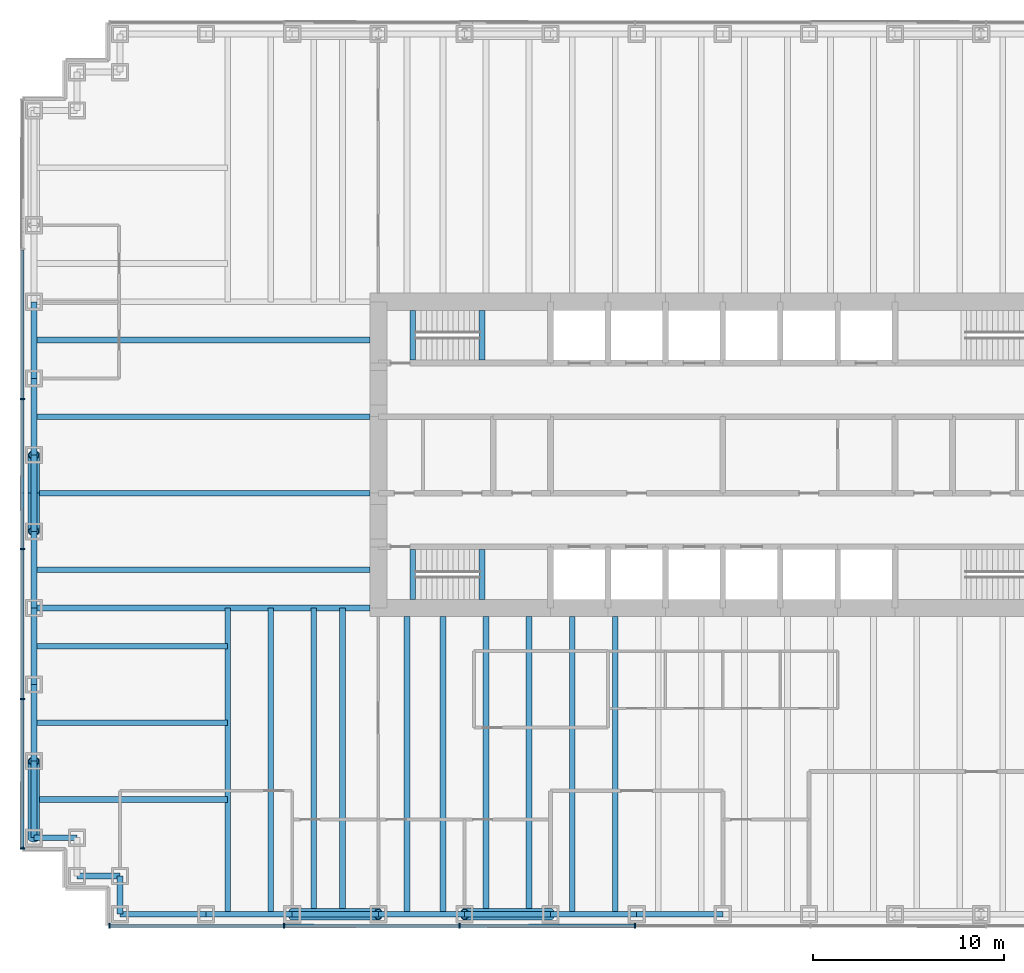
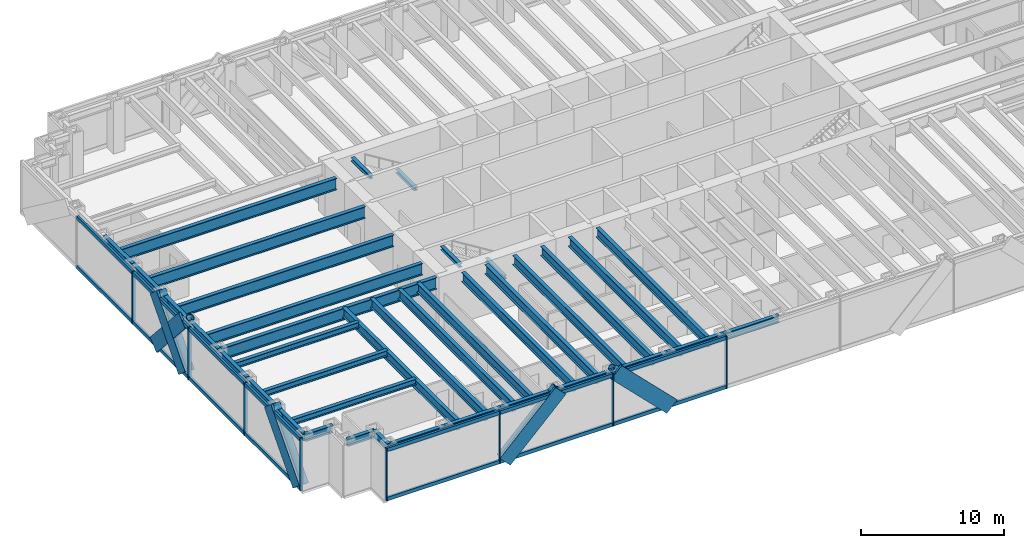
# One storey, part 2 of 13: 39 beams, 32 members, 2 elements without a shape of their own.
"""IFC4 building model written with IfcOpenShell, lengths in metres."""

from ifc_helpers import new_model, si_unit, direction, frame, origin, origin_2d, place, context, subcontext, project, spatial, rectangle, hollow_circle, i_section, extrude, material, material_profile, profile_set, type_object, element, aggregate, save


model = new_model("IFC4")

# Units and contexts
model_context = context("Model", 3, precision=1e-05, world=origin(), true_north=direction((0.0, 1.0)))
body_context = subcontext(model_context, "Body", "Model", "MODEL_VIEW")
ifc_project = project(units=[si_unit("LENGTHUNIT", "METRE"), si_unit("AREAUNIT", "SQUARE_METRE"), si_unit("VOLUMEUNIT", "CUBIC_METRE"), si_unit("PLANEANGLEUNIT", "RADIAN"), si_unit("MASSUNIT", "GRAM", prefix="KILO")], contexts=[model_context])

# Site, building, storey
site_placement = place(None, origin())
site = spatial("IfcSite", under=ifc_project, at=site_placement, CompositionType="ELEMENT")
building_placement = place(site_placement, origin())
building = spatial("IfcBuilding", under=site, at=building_placement, Name="Rheinbord Bourse Tower", CompositionType="ELEMENT")
storey_placement = place(building_placement, frame((0.0, 0.0, 41.0)))
storey = spatial("IfcBuildingStorey", under=building, at=storey_placement, Name="L08", CompositionType="ELEMENT", Elevation=41.0)

# Curtain wall, members
ifc_material_1 = material(Name="Dark glass and black aluminium", Category="aluminium")
curtain_wall_type = type_object("IfcCurtainWallType", Name="CW1 DARK GLASS CURTAIN WALL", PredefinedType="USERDEFINED", material=ifc_material_1)
curtain_wall_1_placement = place(storey_placement, origin())
curtain_wall_1 = element("IfcCurtainWall", 1, at=curtain_wall_1_placement, inside=storey, type_object=curtain_wall_type, Name="Curtain wall CW1 S L08", ObjectType="UNITISED CURTAIN WALL", PredefinedType="USERDEFINED")
ifc_material_2 = material(Name="Black anodised aluminium", Category="aluminium")
ifc_material_profile_1 = material_profile(ifc_material_2, rectangle(XDim=0.179931640625, YDim=1.2099609375, at=origin_2d()), Name="CW1 DIAGONAL MULLION 1210x180")
ifc_profile_set_1 = profile_set([ifc_material_profile_1], Name="Black anodised aluminium")
member_type_1 = type_object("IfcMemberType", Name="CW1 BLACK DIAGONAL MULLION", PredefinedType="USERDEFINED", material=ifc_profile_set_1)
member_1_placement = place(storey_placement, frame((27.0, -0.60009765625, 0.0), z_axis=(-0.707106781187, 0.0, 0.707106781187), x_axis=(0.0, -1.0, 0.0)))
member_1 = element("IfcMember", 2, at=member_1_placement, type_object=member_type_1, Name="CW1 diagonal mullion b", ObjectType="DIAGONAL MULLION", PredefinedType="USERDEFINED", context=body_context, shape_type="SweptSolid", body=[
    extrude(rectangle(XDim=0.179931640625, YDim=1.2099609375, at=origin_2d()), origin(), (0.0, 0.0, 1.0), 6.364013671875),
])
member_2_placement = place(storey_placement, frame((13.5, -0.60009765625, 0.0), z_axis=(0.707106781187, 0.0, 0.707106781187), x_axis=(0.0, 1.0, 0.0)))
member_2 = element("IfcMember", 3, at=member_2_placement, type_object=member_type_1, Name="CW1 diagonal mullion d", ObjectType="DIAGONAL MULLION", PredefinedType="USERDEFINED", context=body_context, shape_type="SweptSolid", body=[
    extrude(rectangle(XDim=0.179931640625, YDim=1.2099609375, at=origin_2d()), origin(), (0.0, 0.0, 1.0), 6.364013671875),
])

curtain_wall_2_placement = place(storey_placement, origin())
curtain_wall_2 = element("IfcCurtainWall", 4, at=curtain_wall_2_placement, inside=storey, type_object=curtain_wall_type, Name="Curtain wall CW1 W L08", ObjectType="UNITISED CURTAIN WALL", PredefinedType="USERDEFINED")
member_3_placement = place(storey_placement, frame((-0.60009765625, 4.0, 0.0), z_axis=(0.0, 0.66436383883, 0.747409318684), x_axis=(-1.0, 0.0, 0.0)))
member_3 = element("IfcMember", 5, at=member_3_placement, type_object=member_type_1, Name="CW1 diagonal mullion b", ObjectType="DIAGONAL MULLION", PredefinedType="USERDEFINED", context=body_context, shape_type="SweptSolid", body=[
    extrude(rectangle(XDim=0.179931640625, YDim=1.2099609375, at=origin_2d()), origin(), (0.0, 0.0, 1.0), 6.020751953125),
])
member_4_placement = place(storey_placement, frame((-0.60009765625, 24.0, 0.0), z_axis=(0.0, -0.66436383883, 0.747409318684), x_axis=(1.0, 0.0, 0.0)))
member_4 = element("IfcMember", 6, at=member_4_placement, type_object=member_type_1, Name="CW1 diagonal mullion c", ObjectType="DIAGONAL MULLION", PredefinedType="USERDEFINED", context=body_context, shape_type="SweptSolid", body=[
    extrude(rectangle(XDim=0.179931640625, YDim=1.2099609375, at=origin_2d()), origin(), (0.0, 0.0, 1.0), 6.020751953125),
])
member_5_placement = place(storey_placement, frame((-0.60009765625, 20.0, 0.0), z_axis=(0.0, 0.66436383883, 0.747409318684), x_axis=(-1.0, 0.0, 0.0)))
member_5 = element("IfcMember", 7, at=member_5_placement, type_object=member_type_1, Name="CW1 diagonal mullion d", ObjectType="DIAGONAL MULLION", PredefinedType="USERDEFINED", context=body_context, shape_type="SweptSolid", body=[
    extrude(rectangle(XDim=0.179931640625, YDim=1.2099609375, at=origin_2d()), origin(), (0.0, 0.0, 1.0), 6.020751953125),
])

# Member
ifc_material_3 = material(Name="Black anodised aluminium", Category="aluminium")
ifc_material_profile_2 = material_profile(ifc_material_3, rectangle(XDim=0.25, YDim=0.080078125, at=origin_2d()), Name="CW1 MULLION 80x250")
ifc_profile_set_2 = profile_set([ifc_material_profile_2], Name="Black anodised aluminium")
member_type_2 = type_object("IfcMemberType", Name="CW1 BLACK MULLION", PredefinedType="MULLION", material=ifc_profile_set_2)
member_6_placement = place(storey_placement, frame((3.93994140625, -0.60009765625, 0.0), z_axis=(0.0, 0.0, 1.0), x_axis=(0.0, 1.0, 0.0)))
member_6 = element("IfcMember", 8, at=member_6_placement, type_object=member_type_2, Name="CW1 mullion 1", PredefinedType="MULLION", context=body_context, shape_type="SweptSolid", body=[
    extrude(rectangle(XDim=0.25, YDim=0.080078125, at=origin_2d()), origin(), (0.0, 0.0, 1.0), 4.5),
])

member_7_placement = place(storey_placement, frame((13.071533203125, -0.60009765625, 0.0), z_axis=(0.0, 0.0, 1.0), x_axis=(0.0, 1.0, 0.0)))
member_7 = element("IfcMember", 9, at=member_7_placement, type_object=member_type_2, Name="CW1 mullion 2", PredefinedType="MULLION", context=body_context, shape_type="SweptSolid", body=[
    extrude(rectangle(XDim=0.25, YDim=0.080078125, at=origin_2d()), origin(), (0.0, 0.0, 1.0), 4.5),
])

member_8_placement = place(storey_placement, frame((22.242919921875, -0.60009765625, 0.0), z_axis=(0.0, 0.0, 1.0), x_axis=(0.0, 1.0, 0.0)))
member_8 = element("IfcMember", 10, at=member_8_placement, type_object=member_type_2, Name="CW1 mullion 3", PredefinedType="MULLION", context=body_context, shape_type="SweptSolid", body=[
    extrude(rectangle(XDim=0.25, YDim=0.080078125, at=origin_2d()), origin(), (0.0, 0.0, 1.0), 4.5),
])

member_9_placement = place(storey_placement, frame((31.414306640625, -0.60009765625, 0.0), z_axis=(0.0, 0.0, 1.0), x_axis=(0.0, 1.0, 0.0)))
member_9 = element("IfcMember", 11, at=member_9_placement, type_object=member_type_2, Name="CW1 mullion 4", PredefinedType="MULLION", context=body_context, shape_type="SweptSolid", body=[
    extrude(rectangle(XDim=0.25, YDim=0.080078125, at=origin_2d()), origin(), (0.0, 0.0, 1.0), 4.5),
])

member_10_placement = place(storey_placement, frame((-0.60009765625, 26.919921875, 0.0), z_axis=(0.0, 0.0, 1.0), x_axis=(1.0, 0.0, 0.0)))
member_10 = element("IfcMember", 12, at=member_10_placement, type_object=member_type_2, Name="CW1 mullion 3", PredefinedType="MULLION", context=body_context, shape_type="SweptSolid", body=[
    extrude(rectangle(XDim=0.25, YDim=0.080078125, at=origin_2d()), origin(), (0.0, 0.0, 1.0), 4.5),
])

member_11_placement = place(storey_placement, frame((-0.60009765625, 19.080078125, 0.0), z_axis=(0.0, 0.0, 1.0), x_axis=(1.0, 0.0, 0.0)))
member_11 = element("IfcMember", 13, at=member_11_placement, type_object=member_type_2, Name="CW1 mullion 4", PredefinedType="MULLION", context=body_context, shape_type="SweptSolid", body=[
    extrude(rectangle(XDim=0.25, YDim=0.080078125, at=origin_2d()), origin(), (0.0, 0.0, 1.0), 4.5),
])

member_12_placement = place(storey_placement, frame((-0.60009765625, 11.239990234375, 0.0), z_axis=(0.0, 0.0, 1.0), x_axis=(1.0, 0.0, 0.0)))
member_12 = element("IfcMember", 14, at=member_12_placement, type_object=member_type_2, Name="CW1 mullion 5", PredefinedType="MULLION", context=body_context, shape_type="SweptSolid", body=[
    extrude(rectangle(XDim=0.25, YDim=0.080078125, at=origin_2d()), origin(), (0.0, 0.0, 1.0), 4.5),
])

member_13_placement = place(storey_placement, frame((-0.60009765625, 3.43994140625, 0.0), z_axis=(0.0, 0.0, 1.0), x_axis=(1.0, 0.0, 0.0)))
member_13 = element("IfcMember", 15, at=member_13_placement, type_object=member_type_2, Name="CW1 mullion 6", PredefinedType="MULLION", context=body_context, shape_type="SweptSolid", body=[
    extrude(rectangle(XDim=0.25, YDim=0.080078125, at=origin_2d()), origin(), (0.0, 0.0, 1.0), 4.5),
])

ifc_material_4 = material(Name="Black anodised aluminium", Category="aluminium")
ifc_material_profile_3 = material_profile(ifc_material_4, rectangle(XDim=0.179931640625, YDim=0.300048828125, at=origin_2d()), Name="CW1 TRANSOM 300x180")
ifc_profile_set_3 = profile_set([ifc_material_profile_3], Name="Black anodised aluminium")
member_type_3 = type_object("IfcMemberType", Name="CW1 BLACK TRANSOM", PredefinedType="USERDEFINED", material=ifc_profile_set_3)
member_14_placement = place(storey_placement, frame((3.97998046875, -0.60009765625, 0.14990234375), z_axis=(1.0, 0.0, 0.0), x_axis=(0.0, 1.0, 0.0)))
member_14 = element("IfcMember", 16, at=member_14_placement, type_object=member_type_3, Name="CW1 transom 1.1", ObjectType="TRANSOM", PredefinedType="USERDEFINED", context=body_context, shape_type="SweptSolid", body=[
    extrude(rectangle(XDim=0.179931640625, YDim=0.300048828125, at=origin_2d()), origin(), (0.0, 0.0, 1.0), 9.051513671875),
])

member_15_placement = place(storey_placement, frame((3.97998046875, -0.60009765625, 4.35009765625), z_axis=(1.0, 0.0, 0.0), x_axis=(0.0, 1.0, 0.0)))
member_15 = element("IfcMember", 17, at=member_15_placement, type_object=member_type_3, Name="CW1 transom 1.2", ObjectType="TRANSOM", PredefinedType="USERDEFINED", context=body_context, shape_type="SweptSolid", body=[
    extrude(rectangle(XDim=0.179931640625, YDim=0.300048828125, at=origin_2d()), origin(), (0.0, 0.0, 1.0), 9.051513671875),
])

member_16_placement = place(storey_placement, frame((13.111328125, -0.60009765625, 0.14990234375), z_axis=(1.0, 0.0, 0.0), x_axis=(0.0, 1.0, 0.0)))
member_16 = element("IfcMember", 18, at=member_16_placement, type_object=member_type_3, Name="CW1 transom 2.1", ObjectType="TRANSOM", PredefinedType="USERDEFINED", context=body_context, shape_type="SweptSolid", body=[
    extrude(rectangle(XDim=0.179931640625, YDim=0.300048828125, at=origin_2d()), origin(), (0.0, 0.0, 1.0), 9.091552734375),
])

member_17_placement = place(storey_placement, frame((13.111328125, -0.60009765625, 4.35009765625), z_axis=(1.0, 0.0, 0.0), x_axis=(0.0, 1.0, 0.0)))
member_17 = element("IfcMember", 19, at=member_17_placement, type_object=member_type_3, Name="CW1 transom 2.2", ObjectType="TRANSOM", PredefinedType="USERDEFINED", context=body_context, shape_type="SweptSolid", body=[
    extrude(rectangle(XDim=0.179931640625, YDim=0.300048828125, at=origin_2d()), origin(), (0.0, 0.0, 1.0), 9.091552734375),
])

member_18_placement = place(storey_placement, frame((22.282958984375, -0.60009765625, 0.14990234375), z_axis=(1.0, 0.0, 0.0), x_axis=(0.0, 1.0, 0.0)))
member_18 = element("IfcMember", 20, at=member_18_placement, type_object=member_type_3, Name="CW1 transom 3.1", ObjectType="TRANSOM", PredefinedType="USERDEFINED", context=body_context, shape_type="SweptSolid", body=[
    extrude(rectangle(XDim=0.179931640625, YDim=0.300048828125, at=origin_2d()), origin(), (0.0, 0.0, 1.0), 9.09130859375),
])

member_19_placement = place(storey_placement, frame((22.282958984375, -0.60009765625, 4.35009765625), z_axis=(1.0, 0.0, 0.0), x_axis=(0.0, 1.0, 0.0)))
member_19 = element("IfcMember", 21, at=member_19_placement, type_object=member_type_3, Name="CW1 transom 3.2", ObjectType="TRANSOM", PredefinedType="USERDEFINED", context=body_context, shape_type="SweptSolid", body=[
    extrude(rectangle(XDim=0.179931640625, YDim=0.300048828125, at=origin_2d()), origin(), (0.0, 0.0, 1.0), 9.09130859375),
])

aggregate(curtain_wall_1, [member_6, member_7, member_8, member_9, member_14, member_15, member_16, member_17, member_18, member_19, member_1, member_2])

member_20_placement = place(storey_placement, frame((-0.60009765625, 34.719970703125, 0.14990234375), z_axis=(0.0, -1.0, 0.0), x_axis=(1.0, 0.0, 0.0)))
member_20 = element("IfcMember", 22, at=member_20_placement, type_object=member_type_3, Name="CW1 transom 2.1", ObjectType="TRANSOM", PredefinedType="USERDEFINED", context=body_context, shape_type="SweptSolid", body=[
    extrude(rectangle(XDim=0.179931640625, YDim=0.300048828125, at=origin_2d()), origin(), (0.0, 0.0, 1.0), 7.760009765625),
])

member_21_placement = place(storey_placement, frame((-0.60009765625, 34.719970703125, 4.35009765625), z_axis=(0.0, -1.0, 0.0), x_axis=(1.0, 0.0, 0.0)))
member_21 = element("IfcMember", 23, at=member_21_placement, type_object=member_type_3, Name="CW1 transom 2.2", ObjectType="TRANSOM", PredefinedType="USERDEFINED", context=body_context, shape_type="SweptSolid", body=[
    extrude(rectangle(XDim=0.179931640625, YDim=0.300048828125, at=origin_2d()), origin(), (0.0, 0.0, 1.0), 7.760009765625),
])

member_22_placement = place(storey_placement, frame((-0.60009765625, 26.8798828125, 0.14990234375), z_axis=(0.0, -1.0, 0.0), x_axis=(1.0, 0.0, 0.0)))
member_22 = element("IfcMember", 24, at=member_22_placement, type_object=member_type_3, Name="CW1 transom 3.1", ObjectType="TRANSOM", PredefinedType="USERDEFINED", context=body_context, shape_type="SweptSolid", body=[
    extrude(rectangle(XDim=0.179931640625, YDim=0.300048828125, at=origin_2d()), origin(), (0.0, 0.0, 1.0), 7.759765625),
])

member_23_placement = place(storey_placement, frame((-0.60009765625, 26.8798828125, 4.35009765625), z_axis=(0.0, -1.0, 0.0), x_axis=(1.0, 0.0, 0.0)))
member_23 = element("IfcMember", 25, at=member_23_placement, type_object=member_type_3, Name="CW1 transom 3.2", ObjectType="TRANSOM", PredefinedType="USERDEFINED", context=body_context, shape_type="SweptSolid", body=[
    extrude(rectangle(XDim=0.179931640625, YDim=0.300048828125, at=origin_2d()), origin(), (0.0, 0.0, 1.0), 7.759765625),
])

member_24_placement = place(storey_placement, frame((-0.60009765625, 19.0400390625, 0.14990234375), z_axis=(0.0, -1.0, 0.0), x_axis=(1.0, 0.0, 0.0)))
member_24 = element("IfcMember", 26, at=member_24_placement, type_object=member_type_3, Name="CW1 transom 4.1", ObjectType="TRANSOM", PredefinedType="USERDEFINED", context=body_context, shape_type="SweptSolid", body=[
    extrude(rectangle(XDim=0.179931640625, YDim=0.300048828125, at=origin_2d()), origin(), (0.0, 0.0, 1.0), 7.760009765625),
])

member_25_placement = place(storey_placement, frame((-0.60009765625, 19.0400390625, 4.35009765625), z_axis=(0.0, -1.0, 0.0), x_axis=(1.0, 0.0, 0.0)))
member_25 = element("IfcMember", 27, at=member_25_placement, type_object=member_type_3, Name="CW1 transom 4.2", ObjectType="TRANSOM", PredefinedType="USERDEFINED", context=body_context, shape_type="SweptSolid", body=[
    extrude(rectangle(XDim=0.179931640625, YDim=0.300048828125, at=origin_2d()), origin(), (0.0, 0.0, 1.0), 7.760009765625),
])

member_26_placement = place(storey_placement, frame((-0.60009765625, 11.199951171875, 0.14990234375), z_axis=(0.0, -1.0, 0.0), x_axis=(1.0, 0.0, 0.0)))
member_26 = element("IfcMember", 28, at=member_26_placement, type_object=member_type_3, Name="CW1 transom 5.1", ObjectType="TRANSOM", PredefinedType="USERDEFINED", context=body_context, shape_type="SweptSolid", body=[
    extrude(rectangle(XDim=0.179931640625, YDim=0.300048828125, at=origin_2d()), origin(), (0.0, 0.0, 1.0), 7.719970703125),
])

member_27_placement = place(storey_placement, frame((-0.60009765625, 11.199951171875, 4.35009765625), z_axis=(0.0, -1.0, 0.0), x_axis=(1.0, 0.0, 0.0)))
member_27 = element("IfcMember", 29, at=member_27_placement, type_object=member_type_3, Name="CW1 transom 5.2", ObjectType="TRANSOM", PredefinedType="USERDEFINED", context=body_context, shape_type="SweptSolid", body=[
    extrude(rectangle(XDim=0.179931640625, YDim=0.300048828125, at=origin_2d()), origin(), (0.0, 0.0, 1.0), 7.719970703125),
])

aggregate(curtain_wall_2, [member_10, member_11, member_12, member_13, member_20, member_21, member_22, member_23, member_24, member_25, member_26, member_27, member_3, member_4, member_5])

# Beams
ifc_material_5 = material(Name="Steel S460", Category="steel")
ifc_material_profile_4 = material_profile(ifc_material_5, i_section(OverallWidth=0.302001953125, OverallDepth=1.008056640625, WebThickness=0.02099609375, FlangeThickness=0.0400390625, at=origin_2d()), Name="HEM 1000")
ifc_profile_set_4 = profile_set([ifc_material_profile_4], Name="Steel S460")
beam_type_1 = type_object("IfcBeamType", Name="END BEAM HEM 1000", PredefinedType="BEAM", material=ifc_profile_set_4)
for number, where, z_axis, x_axis, name in (
    (30, (0.0, 18.0, 3.81591796875), (1.0, 0.0, 0.0), (0.0, 1.0, 0.0), "End beam west 18 L09"),
    (31, (0.0, 22.0, 3.81591796875), (1.0, 0.0, 0.0), (0.0, 1.0, 0.0), "End beam west 22 L09"),
    (32, (0.0, 26.0, 3.81591796875), (1.0, 0.0, 0.0), (0.0, 1.0, 0.0), "End beam west 26 L09"),
    (33, (0.0, 30.0, 3.81591796875), (1.0, 0.0, 0.0), (0.0, 1.0, 0.0), "End beam west 30 L09"),
):
    element("IfcBeam", number, at=place(storey_placement, frame(where, z_axis=z_axis, x_axis=x_axis)), inside=storey, type_object=beam_type_1, Name=name, PredefinedType="BEAM", context=body_context, shape_type="SweptSolid", body=[
        extrude(i_section(OverallWidth=0.302001953125, OverallDepth=1.008056640625, WebThickness=0.02099609375, FlangeThickness=0.0400390625, at=origin_2d()), origin(), (0.0, 0.0, 1.0), 17.550048828125),
    ])
ifc_material_6 = material(Name="Steel S460", Category="steel")
ifc_material_profile_5 = material_profile(ifc_material_6, i_section(OverallWidth=0.300048828125, OverallDepth=0.800048828125, WebThickness=0.017578125, FlangeThickness=0.032958984375, at=origin_2d()), Name="HEB 800")
ifc_profile_set_5 = profile_set([ifc_material_profile_5], Name="Steel S460")
beam_type_2 = type_object("IfcBeamType", Name="FLOOR BEAM HEB 800", PredefinedType="BEAM", material=ifc_profile_set_5)
for number, where, z_axis, x_axis, name in (
    (34, (10.125, 0.0, 3.919921875), (0.0, 1.0, 0.0), (-1.0, 0.0, 0.0), "Floor beam S-9a L09"),
    (35, (12.375, 0.0, 3.919921875), (0.0, 1.0, 0.0), (-1.0, 0.0, 0.0), "Floor beam S-9b L09"),
    (36, (14.625, 0.0, 3.919921875), (0.0, 1.0, 0.0), (-1.0, 0.0, 0.0), "Floor beam S-13.5a L09"),
    (37, (16.125, 0.0, 3.919921875), (0.0, 1.0, 0.0), (-1.0, 0.0, 0.0), "Floor beam S-13.5b L09"),
):
    element("IfcBeam", number, at=place(storey_placement, frame(where, z_axis=z_axis, x_axis=x_axis)), inside=storey, type_object=beam_type_2, Name=name, PredefinedType="BEAM", context=body_context, shape_type="SweptSolid", body=[
        extrude(i_section(OverallWidth=0.300048828125, OverallDepth=0.800048828125, WebThickness=0.017578125, FlangeThickness=0.032958984375, at=origin_2d()), origin(), (0.0, 0.0, 1.0), 16.0),
    ])
for number, where, z_axis, x_axis, name in (
    (38, (19.5, 0.0, 3.919921875), (0.0, 1.0, 0.0), (-1.0, 0.0, 0.0), "Floor beam S-18a L09"),
    (39, (21.375, 0.0, 3.919921875), (0.0, 1.0, 0.0), (-1.0, 0.0, 0.0), "Floor beam S-18b L09"),
    (40, (23.625, 0.0, 3.919921875), (0.0, 1.0, 0.0), (-1.0, 0.0, 0.0), "Floor beam S-22.5a L09"),
    (41, (25.875, 0.0, 3.919921875), (0.0, 1.0, 0.0), (-1.0, 0.0, 0.0), "Floor beam S-22.5b L09"),
    (42, (28.125, 0.0, 3.919921875), (0.0, 1.0, 0.0), (-1.0, 0.0, 0.0), "Floor beam S-27a L09"),
    (43, (30.375, 0.0, 3.919921875), (0.0, 1.0, 0.0), (-1.0, 0.0, 0.0), "Floor beam S-27b L09"),
):
    element("IfcBeam", number, at=place(storey_placement, frame(where, z_axis=z_axis, x_axis=x_axis)), inside=storey, type_object=beam_type_2, Name=name, PredefinedType="BEAM", context=body_context, shape_type="SweptSolid", body=[
        extrude(i_section(OverallWidth=0.300048828125, OverallDepth=0.800048828125, WebThickness=0.017578125, FlangeThickness=0.032958984375, at=origin_2d()), origin(), (0.0, 0.0, 1.0), 15.550048828125),
    ])
ifc_material_7 = material(Name="Steel S460", Category="steel")
ifc_material_profile_6 = material_profile(ifc_material_7, i_section(OverallWidth=0.302001953125, OverallDepth=1.008056640625, WebThickness=0.02099609375, FlangeThickness=0.0400390625, at=origin_2d()), Name="HEM 1000")
ifc_profile_set_6 = profile_set([ifc_material_profile_6], Name="Steel S460")
beam_type_3 = type_object("IfcBeamType", Name="GIRDER HEM 1000", PredefinedType="BEAM", material=ifc_profile_set_6)
beam_1_placement = place(storey_placement, frame((0.0, 16.0, 3.81591796875), z_axis=(1.0, 0.0, 0.0), x_axis=(0.0, 1.0, 0.0)))
element("IfcBeam", 44, at=beam_1_placement, inside=storey, type_object=beam_type_3, Name="Girder west 16 L09", PredefinedType="BEAM", context=body_context, shape_type="SweptSolid", body=[
    extrude(i_section(OverallWidth=0.302001953125, OverallDepth=1.008056640625, WebThickness=0.02099609375, FlangeThickness=0.0400390625, at=origin_2d()), origin(), (0.0, 0.0, 1.0), 17.550048828125),
])
ifc_material_8 = material(Name="Steel S460", Category="steel")
ifc_material_profile_7 = material_profile(ifc_material_8, i_section(OverallWidth=0.300048828125, OverallDepth=0.300048828125, WebThickness=0.010986328125, FlangeThickness=0.01904296875, at=origin_2d()), Name="HEB 300")
ifc_profile_set_7 = profile_set([ifc_material_profile_7], Name="Steel S460")
beam_type_4 = type_object("IfcBeamType", Name="LANDING TRIMMER HEB 300", PredefinedType="BEAM", material=ifc_profile_set_7)
for number, where, z_axis, x_axis, name in (
    (45, (23.409912109375, 16.449951171875, 1.89990234375), (0.0, 1.0, 0.0), (-1.0, 0.0, 0.0), "Landing trimmer ST1 L08"),
    (46, (19.800048828125, 16.449951171875, 4.169921875), (0.0, 1.0, 0.0), (-1.0, 0.0, 0.0), "Well trimmer ST1 under L09"),
    (47, (23.409912109375, 28.949951171875, 1.89990234375), (0.0, 1.0, 0.0), (-1.0, 0.0, 0.0), "Landing trimmer ST2 L08"),
    (48, (19.800048828125, 28.949951171875, 4.169921875), (0.0, 1.0, 0.0), (-1.0, 0.0, 0.0), "Well trimmer ST2 under L09"),
):
    element("IfcBeam", number, at=place(storey_placement, frame(where, z_axis=z_axis, x_axis=x_axis)), inside=storey, type_object=beam_type_4, Name=name, PredefinedType="BEAM", context=body_context, shape_type="SweptSolid", body=[
        extrude(i_section(OverallWidth=0.300048828125, OverallDepth=0.300048828125, WebThickness=0.010986328125, FlangeThickness=0.01904296875, at=origin_2d()), origin(), (0.0, 0.0, 1.0), 2.60009765625),
    ])

# Members
ifc_material_9 = material(Name="Steel S460", Category="steel")
ifc_material_profile_8 = material_profile(ifc_material_9, hollow_circle(Radius=0.304931640625, WallThickness=0.050048828125, at=origin_2d()), Name="CHS 610x50")
ifc_profile_set_8 = profile_set([ifc_material_profile_8], Name="Steel S460")
member_type_4 = type_object("IfcMemberType", Name="MEGABRACE CHS 610x50", PredefinedType="BRACE", material=ifc_profile_set_8)
for number, where, z_axis, x_axis, name in (
    (49, (27.0, 0.0, 0.0), (-0.707106781187, 0.0, 0.707106781187), (0.0, -1.0, 0.0), "Megabrace S face line b L08"),
    (50, (13.5, 0.0, 0.0), (0.707106781187, 0.0, 0.707106781187), (0.0, 1.0, 0.0), "Megabrace S face line d L08"),
):
    element("IfcMember", number, at=place(storey_placement, frame(where, z_axis=z_axis, x_axis=x_axis)), inside=storey, type_object=member_type_4, Name=name, PredefinedType="BRACE", context=body_context, shape_type="SweptSolid", body=[
        extrude(hollow_circle(Radius=0.304931640625, WallThickness=0.050048828125, at=origin_2d()), origin(), (0.0, 0.0, 1.0), 6.364013671875),
    ])
for number, where, z_axis, x_axis, name in (
    (51, (0.0, 4.0, 0.0), (0.0, 0.66436383883, 0.747409318684), (-1.0, 0.0, 0.0), "Megabrace W face line b L08"),
    (52, (0.0, 24.0, 0.0), (0.0, -0.66436383883, 0.747409318684), (1.0, 0.0, 0.0), "Megabrace W face line c L08"),
    (53, (0.0, 20.0, 0.0), (0.0, 0.66436383883, 0.747409318684), (-1.0, 0.0, 0.0), "Megabrace W face line d L08"),
):
    element("IfcMember", number, at=place(storey_placement, frame(where, z_axis=z_axis, x_axis=x_axis)), inside=storey, type_object=member_type_4, Name=name, PredefinedType="BRACE", context=body_context, shape_type="SweptSolid", body=[
        extrude(hollow_circle(Radius=0.304931640625, WallThickness=0.050048828125, at=origin_2d()), origin(), (0.0, 0.0, 1.0), 6.020751953125),
    ])

# Beams
ifc_material_10 = material(Name="Steel S460", Category="steel")
ifc_material_profile_9 = material_profile(ifc_material_10, i_section(OverallWidth=0.304931640625, OverallDepth=0.6201171875, WebThickness=0.02099609375, FlangeThickness=0.0400390625, at=origin_2d()), Name="HEM 600")
ifc_profile_set_9 = profile_set([ifc_material_profile_9], Name="Steel S460")
beam_type_5 = type_object("IfcBeamType", Name="SPANDREL HEM 600", PredefinedType="SPANDREL", material=ifc_profile_set_9)
for number, where, z_axis, x_axis, name in (
    (54, (4.5, 0.0, 4.010009765625), (1.0, 0.0, 0.0), (0.0, 1.0, 0.0), "Spandrel SW-E-S-9 under L09"),
    (55, (9.0, 0.0, 4.010009765625), (1.0, 0.0, 0.0), (0.0, 1.0, 0.0), "Spandrel S-9-S-13.5 under L09"),
    (56, (13.5, 0.0, 4.010009765625), (1.0, 0.0, 0.0), (0.0, 1.0, 0.0), "Spandrel S-13.5-S-18 under L09"),
    (57, (18.0, 0.0, 4.010009765625), (1.0, 0.0, 0.0), (0.0, 1.0, 0.0), "Spandrel S-18-S-22.5 under L09"),
    (58, (22.5, 0.0, 4.010009765625), (1.0, 0.0, 0.0), (0.0, 1.0, 0.0), "Spandrel S-22.5-S-27 under L09"),
    (59, (27.0, 0.0, 4.010009765625), (1.0, 0.0, 0.0), (0.0, 1.0, 0.0), "Spandrel S-27-S-31.5 under L09"),
    (60, (31.5, 0.0, 4.010009765625), (1.0, 0.0, 0.0), (0.0, 1.0, 0.0), "Spandrel S-31.5-S-36 under L09"),
):
    element("IfcBeam", number, at=place(storey_placement, frame(where, z_axis=z_axis, x_axis=x_axis)), inside=storey, type_object=beam_type_5, Name=name, PredefinedType="SPANDREL", context=body_context, shape_type="SweptSolid", body=[
        extrude(i_section(OverallWidth=0.304931640625, OverallDepth=0.6201171875, WebThickness=0.02099609375, FlangeThickness=0.0400390625, at=origin_2d()), origin(), (0.0, 0.0, 1.0), 4.5),
    ])
for number, where, z_axis, x_axis, name in (
    (61, (0.0, 32.0, 4.010009765625), (0.0, -1.0, 0.0), (1.0, 0.0, 0.0), "Spandrel W-32-W-28 under L09"),
    (62, (0.0, 28.0, 4.010009765625), (0.0, -1.0, 0.0), (1.0, 0.0, 0.0), "Spandrel W-28-W-24 under L09"),
    (63, (0.0, 24.0, 4.010009765625), (0.0, -1.0, 0.0), (1.0, 0.0, 0.0), "Spandrel W-24-W-20 under L09"),
    (64, (0.0, 20.0, 4.010009765625), (0.0, -1.0, 0.0), (1.0, 0.0, 0.0), "Spandrel W-20-W-16 under L09"),
    (65, (0.0, 16.0, 4.010009765625), (0.0, -1.0, 0.0), (1.0, 0.0, 0.0), "Spandrel W-16-W-12 under L09"),
    (66, (0.0, 12.0, 4.010009765625), (0.0, -1.0, 0.0), (1.0, 0.0, 0.0), "Spandrel W-12-W-8 under L09"),
    (67, (0.0, 8.0, 4.010009765625), (0.0, -1.0, 0.0), (1.0, 0.0, 0.0), "Spandrel W-8-SW-A under L09"),
):
    element("IfcBeam", number, at=place(storey_placement, frame(where, z_axis=z_axis, x_axis=x_axis)), inside=storey, type_object=beam_type_5, Name=name, PredefinedType="SPANDREL", context=body_context, shape_type="SweptSolid", body=[
        extrude(i_section(OverallWidth=0.304931640625, OverallDepth=0.6201171875, WebThickness=0.02099609375, FlangeThickness=0.0400390625, at=origin_2d()), origin(), (0.0, 0.0, 1.0), 4.0),
    ])
for number, where, z_axis, x_axis, name in (
    (68, (0.0, 4.0, 4.010009765625), (1.0, 0.0, 0.0), (0.0, 1.0, 0.0), "Spandrel SW-A-SW-B under L09"),
    (69, (2.25, 2.0, 4.010009765625), (1.0, 0.0, 0.0), (0.0, 1.0, 0.0), "Spandrel SW-C-SW-D under L09"),
):
    element("IfcBeam", number, at=place(storey_placement, frame(where, z_axis=z_axis, x_axis=x_axis)), inside=storey, type_object=beam_type_5, Name=name, PredefinedType="SPANDREL", context=body_context, shape_type="SweptSolid", body=[
        extrude(i_section(OverallWidth=0.304931640625, OverallDepth=0.6201171875, WebThickness=0.02099609375, FlangeThickness=0.0400390625, at=origin_2d()), origin(), (0.0, 0.0, 1.0), 2.25),
    ])
beam_2_placement = place(storey_placement, frame((4.5, 2.0, 4.010009765625), z_axis=(0.0, -1.0, 0.0), x_axis=(1.0, 0.0, 0.0)))
element("IfcBeam", 70, at=beam_2_placement, inside=storey, type_object=beam_type_5, Name="Spandrel SW-D-SW-E under L09", PredefinedType="SPANDREL", context=body_context, shape_type="SweptSolid", body=[
    extrude(i_section(OverallWidth=0.304931640625, OverallDepth=0.6201171875, WebThickness=0.02099609375, FlangeThickness=0.0400390625, at=origin_2d()), origin(), (0.0, 0.0, 1.0), 2.0),
])
ifc_material_11 = material(Name="Steel S460", Category="steel")
ifc_material_profile_10 = material_profile(ifc_material_11, i_section(OverallWidth=0.300048828125, OverallDepth=0.5, WebThickness=0.014404296875, FlangeThickness=0.028076171875, at=origin_2d()), Name="HEB 500")
ifc_profile_set_10 = profile_set([ifc_material_profile_10], Name="Steel S460")
beam_type_6 = type_object("IfcBeamType", Name="TIE BEAM HEB 500", PredefinedType="JOIST", material=ifc_profile_set_10)
for number, where, z_axis, x_axis, name in (
    (71, (0.0, 6.0, 4.070068359375), (1.0, 0.0, 0.0), (0.0, 1.0, 0.0), "Tie west 6 L09"),
    (72, (0.0, 10.0, 4.070068359375), (1.0, 0.0, 0.0), (0.0, 1.0, 0.0), "Tie west 10 L09"),
    (73, (0.0, 14.0, 4.070068359375), (1.0, 0.0, 0.0), (0.0, 1.0, 0.0), "Tie west 14 L09"),
):
    element("IfcBeam", number, at=place(storey_placement, frame(where, z_axis=z_axis, x_axis=x_axis)), inside=storey, type_object=beam_type_6, Name=name, PredefinedType="JOIST", context=body_context, shape_type="SweptSolid", body=[
        extrude(i_section(OverallWidth=0.300048828125, OverallDepth=0.5, WebThickness=0.014404296875, FlangeThickness=0.028076171875, at=origin_2d()), origin(), (0.0, 0.0, 1.0), 10.125),
    ])

save(model, "model.ifc")
